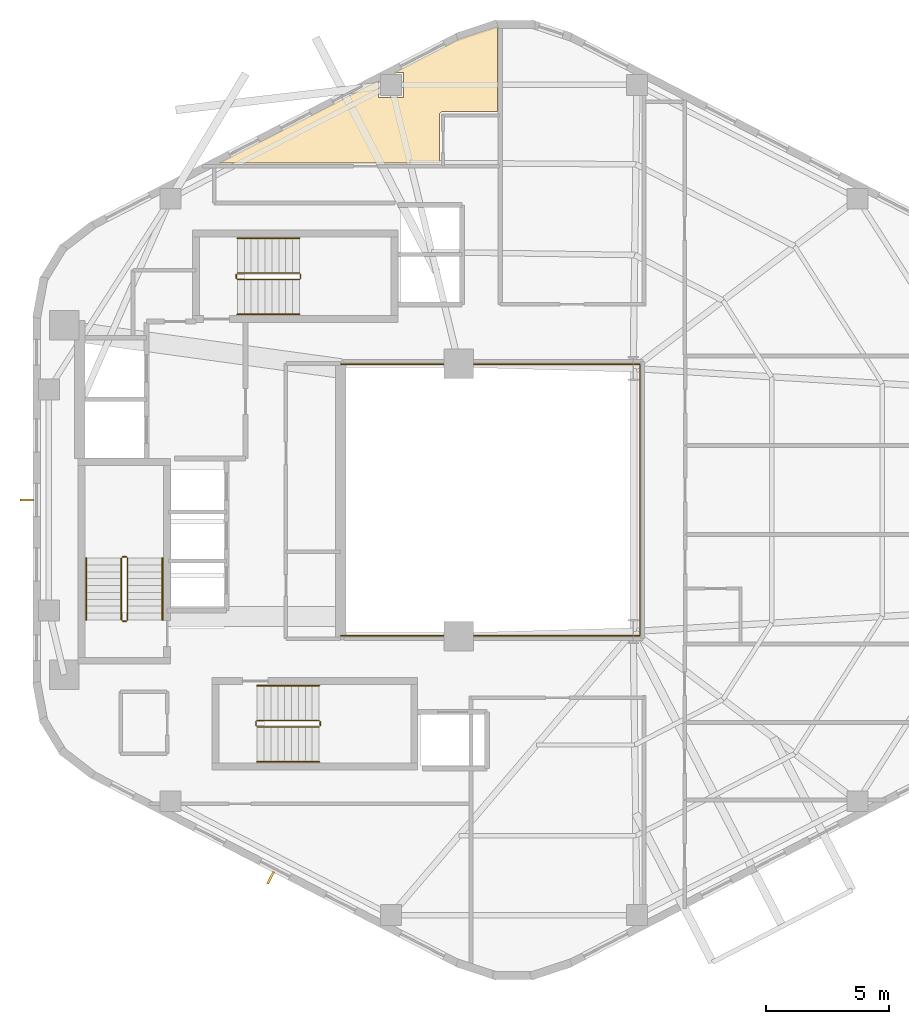
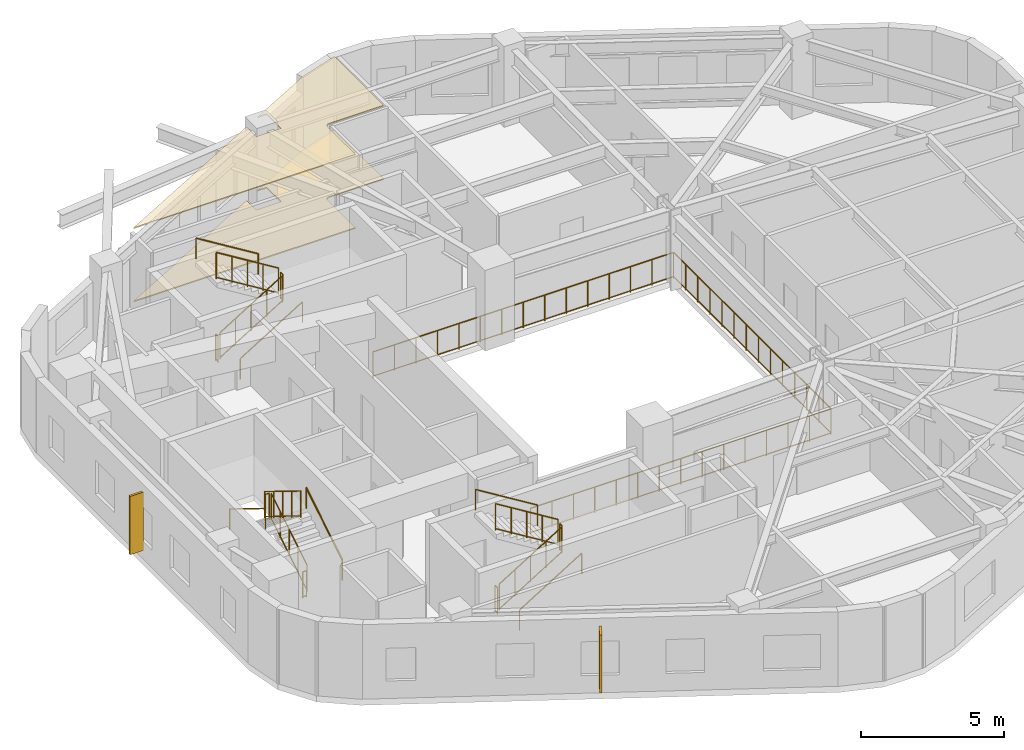
# One storey, part 7 of 7: 19 railings, 2 coverings, 2 shading devices.
"""IFC4 building model written with IfcOpenShell, lengths in metres."""

from ifc_helpers import new_model, si_unit, direction, frame, origin, origin_2d, place, context, subcontext, project, spatial, polyline, rectangle, circle, outline, extrude, material, layer, layer_set, type_object, element, save


model = new_model("IFC4")

# Units and contexts
model_context = context("Model", 3, precision=1e-05, world=origin(), true_north=direction((0.0, 1.0)))
body_context = subcontext(model_context, "Body", "Model", "MODEL_VIEW")
ifc_project = project(units=[si_unit("LENGTHUNIT", "METRE"), si_unit("AREAUNIT", "SQUARE_METRE"), si_unit("VOLUMEUNIT", "CUBIC_METRE"), si_unit("PLANEANGLEUNIT", "RADIAN"), si_unit("MASSUNIT", "GRAM", prefix="KILO"), si_unit("THERMODYNAMICTEMPERATUREUNIT", "KELVIN"), si_unit("POWERUNIT", "WATT")], contexts=[model_context])

# Site, building, storey
site_placement = place(None, origin())
site = spatial("IfcSite", under=ifc_project, at=site_placement, CompositionType="ELEMENT")
building_placement = place(site_placement, origin())
building = spatial("IfcBuilding", under=site, at=building_placement, Name="Skarre Station Tower", CompositionType="ELEMENT")
storey_placement = place(building_placement, frame((0.0, 0.0, 199.89990234375)))
storey = spatial("IfcBuildingStorey", under=building, at=storey_placement, Name="L54", CompositionType="ELEMENT", Elevation=199.89990234375)

# Railing
ifc_material_1 = material(Name="Bronze Anodized Steel & Laminated Glass Balustrade", Category="steel")
railing_type_1 = type_object("IfcRailingType", Name="Atrium Void & Mezzanine Guard Balustrade 1120", PredefinedType="GUARDRAIL", material=ifc_material_1)
railing_1_placement = place(storey_placement, frame((27.550048828125, 18.47998046875, 0.0)))
element("IfcRailing", 1, at=railing_1_placement, inside=storey, type_object=railing_type_1, Name="L54 Atrium Void Guard Balustrade", PredefinedType="GUARDRAIL", context=body_context, shape_type="SweptSolid", body=[
    extrude(circle(Radius=0.02392578125, at=origin_2d()), frame((0.0, 0.0, 1.09619140625), z_axis=(1.0, 0.0, 0.0), x_axis=(0.0, 1.0, 0.0)), (0.0, 0.0, 1.0), 12.169921875),
    extrude(circle(Radius=0.02099609375, at=origin_2d()), frame((0.0, 0.0, 0.06005859375), z_axis=(1.0, 0.0, 0.0), x_axis=(0.0, 1.0, 0.0)), (0.0, 0.0, 1.0), 12.169921875),
    extrude(circle(Radius=0.02392578125, at=origin_2d()), frame((12.169921875, 0.0, 1.09619140625), z_axis=(0.0, 1.0, 0.0), x_axis=(-1.0, 0.0, 0.0)), (0.0, 0.0, 1.0), 11.0400390625),
    extrude(circle(Radius=0.02099609375, at=origin_2d()), frame((12.169921875, 0.0, 0.06005859375), z_axis=(0.0, 1.0, 0.0), x_axis=(-1.0, 0.0, 0.0)), (0.0, 0.0, 1.0), 11.0400390625),
    extrude(circle(Radius=0.02392578125, at=origin_2d()), frame((12.169921875, 11.0400390625, 1.09619140625), z_axis=(-1.0, 0.0, 0.0), x_axis=(0.0, -1.0, 0.0)), (0.0, 0.0, 1.0), 12.169921875),
    extrude(circle(Radius=0.02099609375, at=origin_2d()), frame((12.169921875, 11.0400390625, 0.06005859375), z_axis=(-1.0, 0.0, 0.0), x_axis=(0.0, -1.0, 0.0)), (0.0, 0.0, 1.0), 12.169921875),
    extrude(circle(Radius=0.02099609375, at=origin_2d()), origin(), (0.0, 0.0, 1.0), 1.072021484375),
    extrude(circle(Radius=0.02099609375, at=origin_2d()), frame((0.869384765625, 0.0, 0.0)), (0.0, 0.0, 1.0), 1.072021484375),
    extrude(circle(Radius=0.02099609375, at=origin_2d()), frame((1.738525390625, 0.0, 0.0)), (0.0, 0.0, 1.0), 1.072021484375),
    extrude(circle(Radius=0.02099609375, at=origin_2d()), frame((2.60791015625, 0.0, 0.0)), (0.0, 0.0, 1.0), 1.072021484375),
    extrude(circle(Radius=0.02099609375, at=origin_2d()), frame((3.47705078125, 0.0, 0.0)), (0.0, 0.0, 1.0), 1.072021484375),
    extrude(circle(Radius=0.02099609375, at=origin_2d()), frame((4.346435546875, 0.0, 0.0)), (0.0, 0.0, 1.0), 1.072021484375),
    extrude(circle(Radius=0.02099609375, at=origin_2d()), frame((5.215576171875, 0.0, 0.0)), (0.0, 0.0, 1.0), 1.072021484375),
    extrude(circle(Radius=0.02099609375, at=origin_2d()), frame((6.0849609375, 0.0, 0.0)), (0.0, 0.0, 1.0), 1.072021484375),
    extrude(circle(Radius=0.02099609375, at=origin_2d()), frame((6.954345703125, 0.0, 0.0)), (0.0, 0.0, 1.0), 1.072021484375),
    extrude(circle(Radius=0.02099609375, at=origin_2d()), frame((7.823486328125, 0.0, 0.0)), (0.0, 0.0, 1.0), 1.072021484375),
    extrude(circle(Radius=0.02099609375, at=origin_2d()), frame((8.69287109375, 0.0, 0.0)), (0.0, 0.0, 1.0), 1.072021484375),
    extrude(circle(Radius=0.02099609375, at=origin_2d()), frame((9.56201171875, 0.0, 0.0)), (0.0, 0.0, 1.0), 1.072021484375),
    extrude(circle(Radius=0.02099609375, at=origin_2d()), frame((10.431396484375, 0.0, 0.0)), (0.0, 0.0, 1.0), 1.072021484375),
    extrude(circle(Radius=0.02099609375, at=origin_2d()), frame((11.300537109375, 0.0, 0.0)), (0.0, 0.0, 1.0), 1.072021484375),
    extrude(circle(Radius=0.02099609375, at=origin_2d()), frame((12.169921875, 0.0, 0.0)), (0.0, 0.0, 1.0), 1.072021484375),
    extrude(circle(Radius=0.02099609375, at=origin_2d()), frame((12.169921875, 0.84912109375, 0.0)), (0.0, 0.0, 1.0), 1.072021484375),
    extrude(circle(Radius=0.02099609375, at=origin_2d()), frame((12.169921875, 1.698486328125, 0.0)), (0.0, 0.0, 1.0), 1.072021484375),
    extrude(circle(Radius=0.02099609375, at=origin_2d()), frame((12.169921875, 2.547607421875, 0.0)), (0.0, 0.0, 1.0), 1.072021484375),
    extrude(circle(Radius=0.02099609375, at=origin_2d()), frame((12.169921875, 3.39697265625, 0.0)), (0.0, 0.0, 1.0), 1.072021484375),
    extrude(circle(Radius=0.02099609375, at=origin_2d()), frame((12.169921875, 4.24609375, 0.0)), (0.0, 0.0, 1.0), 1.072021484375),
    extrude(circle(Radius=0.02099609375, at=origin_2d()), frame((12.169921875, 5.095458984375, 0.0)), (0.0, 0.0, 1.0), 1.072021484375),
    extrude(circle(Radius=0.02099609375, at=origin_2d()), frame((12.169921875, 5.944580078125, 0.0)), (0.0, 0.0, 1.0), 1.072021484375),
    extrude(circle(Radius=0.02099609375, at=origin_2d()), frame((12.169921875, 6.7939453125, 0.0)), (0.0, 0.0, 1.0), 1.072021484375),
    extrude(circle(Radius=0.02099609375, at=origin_2d()), frame((12.169921875, 7.64306640625, 0.0)), (0.0, 0.0, 1.0), 1.072021484375),
    extrude(circle(Radius=0.02099609375, at=origin_2d()), frame((12.169921875, 8.492431640625, 0.0)), (0.0, 0.0, 1.0), 1.072021484375),
    extrude(circle(Radius=0.02099609375, at=origin_2d()), frame((12.169921875, 9.341552734375, 0.0)), (0.0, 0.0, 1.0), 1.072021484375),
    extrude(circle(Radius=0.02099609375, at=origin_2d()), frame((12.169921875, 10.19091796875, 0.0)), (0.0, 0.0, 1.0), 1.072021484375),
    extrude(circle(Radius=0.02099609375, at=origin_2d()), frame((12.169921875, 11.0400390625, 0.0)), (0.0, 0.0, 1.0), 1.072021484375),
    extrude(circle(Radius=0.02099609375, at=origin_2d()), frame((11.300537109375, 11.0400390625, 0.0)), (0.0, 0.0, 1.0), 1.072021484375),
    extrude(circle(Radius=0.02099609375, at=origin_2d()), frame((10.431396484375, 11.0400390625, 0.0)), (0.0, 0.0, 1.0), 1.072021484375),
    extrude(circle(Radius=0.02099609375, at=origin_2d()), frame((9.56201171875, 11.0400390625, 0.0)), (0.0, 0.0, 1.0), 1.072021484375),
    extrude(circle(Radius=0.02099609375, at=origin_2d()), frame((8.69287109375, 11.0400390625, 0.0)), (0.0, 0.0, 1.0), 1.072021484375),
    extrude(circle(Radius=0.02099609375, at=origin_2d()), frame((7.823486328125, 11.0400390625, 0.0)), (0.0, 0.0, 1.0), 1.072021484375),
    extrude(circle(Radius=0.02099609375, at=origin_2d()), frame((6.954345703125, 11.0400390625, 0.0)), (0.0, 0.0, 1.0), 1.072021484375),
    extrude(circle(Radius=0.02099609375, at=origin_2d()), frame((6.0849609375, 11.0400390625, 0.0)), (0.0, 0.0, 1.0), 1.072021484375),
    extrude(circle(Radius=0.02099609375, at=origin_2d()), frame((5.215576171875, 11.0400390625, 0.0)), (0.0, 0.0, 1.0), 1.072021484375),
    extrude(circle(Radius=0.02099609375, at=origin_2d()), frame((4.346435546875, 11.0400390625, 0.0)), (0.0, 0.0, 1.0), 1.072021484375),
    extrude(circle(Radius=0.02099609375, at=origin_2d()), frame((3.47705078125, 11.0400390625, 0.0)), (0.0, 0.0, 1.0), 1.072021484375),
    extrude(circle(Radius=0.02099609375, at=origin_2d()), frame((2.60791015625, 11.0400390625, 0.0)), (0.0, 0.0, 1.0), 1.072021484375),
    extrude(circle(Radius=0.02099609375, at=origin_2d()), frame((1.738525390625, 11.0400390625, 0.0)), (0.0, 0.0, 1.0), 1.072021484375),
    extrude(circle(Radius=0.02099609375, at=origin_2d()), frame((0.869384765625, 11.0400390625, 0.0)), (0.0, 0.0, 1.0), 1.072021484375),
    extrude(circle(Radius=0.02099609375, at=origin_2d()), frame((0.0, 11.0400390625, 0.0)), (0.0, 0.0, 1.0), 1.072021484375),
])

# Coverings
ifc_material_2 = material(Name="Honed Jura Limestone & Calcium-Sulfate Access Tile", Category="masonry")
ifc_layer_1 = layer(ifc_material_2, 0.050048828125, Name="Honed Jura Limestone & Calcium-Sulfate Access Tile")
ifc_layer_set_1 = layer_set([ifc_layer_1], Name="Honed Jura Limestone & Calcium-Sulfate Access Tile")
covering_type_1 = type_object("IfcCoveringType", Name="Honed Limestone & Raised Access Floor Finish 50", PredefinedType="FLOORING", material=ifc_layer_set_1)
covering_1_placement = place(storey_placement, origin())
element("IfcCovering", 2, at=covering_1_placement, inside=storey, type_object=covering_type_1, Name="L54 Limestone Access Flooring 1", PredefinedType="FLOORING", context=body_context, shape_type="SweptSolid", body=[
    extrude(outline(polyline([(33.919921875, 39.800048828125), (33.919921875, 43.24609375), (33.845947265625, 43.24609375), (32.39208984375, 42.76806640625), (29.72705078125, 41.39306640625), (30.10302734375, 41.39306640625), (30.10302734375, 40.383056640625), (29.093017578125, 40.383056640625), (29.093017578125, 41.06591796875), (22.571044921875, 37.699951171875), (31.56005859375, 37.699951171875), (31.56005859375, 39.639892578125), (31.56005859375, 39.64404296875), (31.56005859375, 39.652099609375), (31.56103515625, 39.659912109375), (31.56201171875, 39.6669921875), (31.56396484375, 39.675048828125), (31.56591796875, 39.68310546875), (31.568115234375, 39.68994140625), (31.571044921875, 39.697998046875), (31.573974609375, 39.705078125), (31.576904296875, 39.7119140625), (31.5810546875, 39.718994140625), (31.5849609375, 39.72607421875), (31.589111328125, 39.73193359375), (31.593994140625, 39.738037109375), (31.59912109375, 39.743896484375), (31.60400390625, 39.75), (31.610107421875, 39.756103515625), (31.615966796875, 39.760986328125), (31.6220703125, 39.76611328125), (31.6279296875, 39.77099609375), (31.634033203125, 39.77490234375), (31.64111328125, 39.779052734375), (31.64794921875, 39.782958984375), (31.655029296875, 39.785888671875), (31.662109375, 39.7890625), (31.669921875, 39.7919921875), (31.677001953125, 39.7939453125), (31.68505859375, 39.7958984375), (31.693115234375, 39.798095703125), (31.699951171875, 39.799072265625), (31.7080078125, 39.800048828125), (31.716064453125, 39.800048828125), (31.719970703125, 39.800048828125), (33.919921875, 39.800048828125)])), origin(), (0.0, 0.0, 1.0), 0.050048828125),
])
ifc_material_3 = material(Name="Perforated Nordic Birch Veneer & Mineral Wool", Category="wood")
ifc_layer_2 = layer(ifc_material_3, 0.044921875, Name="Perforated Nordic Birch Veneer & Mineral Wool")
ifc_layer_set_2 = layer_set([ifc_layer_2], Name="Perforated Nordic Birch Veneer & Mineral Wool")
covering_type_2 = type_object("IfcCoveringType", Name="Nordic Birch Slatted Acoustic Suspended Ceiling 45", PredefinedType="CEILING", material=ifc_layer_set_2)
covering_2_placement = place(storey_placement, frame((0.0, 0.0, 3.14501953125)))
element("IfcCovering", 3, at=covering_2_placement, inside=storey, type_object=covering_type_2, Name="L54 Acoustic Birch Ceiling 1", PredefinedType="CEILING", context=body_context, shape_type="SweptSolid", body=[
    extrude(outline(polyline([(33.919921875, 39.800048828125), (33.919921875, 43.24609375), (33.845947265625, 43.24609375), (32.39208984375, 42.76806640625), (29.72705078125, 41.39306640625), (30.10302734375, 41.39306640625), (30.10302734375, 40.383056640625), (29.093017578125, 40.383056640625), (29.093017578125, 41.06591796875), (22.571044921875, 37.699951171875), (31.56005859375, 37.699951171875), (31.56005859375, 39.639892578125), (31.56005859375, 39.64404296875), (31.56005859375, 39.652099609375), (31.56103515625, 39.659912109375), (31.56201171875, 39.6669921875), (31.56396484375, 39.675048828125), (31.56591796875, 39.68310546875), (31.568115234375, 39.68994140625), (31.571044921875, 39.697998046875), (31.573974609375, 39.705078125), (31.576904296875, 39.7119140625), (31.5810546875, 39.718994140625), (31.5849609375, 39.72607421875), (31.589111328125, 39.73193359375), (31.593994140625, 39.738037109375), (31.59912109375, 39.743896484375), (31.60400390625, 39.75), (31.610107421875, 39.756103515625), (31.615966796875, 39.760986328125), (31.6220703125, 39.76611328125), (31.6279296875, 39.77099609375), (31.634033203125, 39.77490234375), (31.64111328125, 39.779052734375), (31.64794921875, 39.782958984375), (31.655029296875, 39.785888671875), (31.662109375, 39.7890625), (31.669921875, 39.7919921875), (31.677001953125, 39.7939453125), (31.68505859375, 39.7958984375), (31.693115234375, 39.798095703125), (31.699951171875, 39.799072265625), (31.7080078125, 39.800048828125), (31.716064453125, 39.800048828125), (31.719970703125, 39.800048828125), (33.919921875, 39.800048828125)])), origin(), (0.0, 0.0, 1.0), 0.045166015625),
])

# Shading devices
ifc_material_4 = material(Name="Bronze Anodized Extruded Aluminium 6063-T6", Category="aluminium")
shading_device_type = type_object("IfcShadingDeviceType", Name="Nordic Bronze Vertical Solar Fin 550x90", PredefinedType="SHUTTER", material=ifc_material_4)
for number, where, z_axis, x_axis, name in (
    (4, (14.778076171875, 24.0, 0.35009765625), (0.0, 0.0, 1.0), (-1.0, 0.0, 0.0), "L54 Facet 2 Bronze Solar Fin"),
    (5, (24.698974609375, 8.6279296875, 0.35009765625), (0.0, 0.0, 1.0), (-0.458634045118, -0.888625237464, 0.0), "L54 Facet 3 Bronze Solar Fin"),
):
    element("IfcShadingDevice", number, at=place(storey_placement, frame(where, z_axis=z_axis, x_axis=x_axis)), inside=storey, type_object=shading_device_type, Name=name, PredefinedType="SHUTTER", context=body_context, shape_type="SweptSolid", body=[
        extrude(rectangle(XDim=0.550048828125, YDim=0.090087890625, at=origin_2d()), origin(), (0.0, 0.0, 1.0), 2.5),
    ])

# Railings
ifc_material_5 = material(Name="Powder-Coated Tubular Steel", Category="steel")
railing_type_2 = type_object("IfcRailingType", Name="Painted Steel Ramp & Stair Handrail 920", PredefinedType="HANDRAIL", material=ifc_material_5)
railing_2_placement = place(storey_placement, frame((20.300048828125, 19.1201171875, 0.172607421875)))
element("IfcRailing", 6, at=railing_2_placement, inside=storey, type_object=railing_type_2, Name="L54 ST-1 stair handrail 1", PredefinedType="HANDRAIL", context=body_context, shape_type="SweptSolid", body=[
    extrude(circle(Radius=0.02392578125, at=origin_2d()), frame((0.0, 0.0, 0.8759765625), z_axis=(0.0, 0.851377800117, 0.52455299205), x_axis=(-1.0, 0.0, 0.0)), (0.0, 0.0, 1.0), 2.959716796875),
    extrude(circle(Radius=0.02099609375, at=origin_2d()), origin(), (0.0, 0.0, 1.0), 0.851806640625),
    extrude(circle(Radius=0.02099609375, at=origin_2d()), frame((0.0, 2.519775390625, 1.552490234375)), (0.0, 0.0, 1.0), 0.851806640625),
])
railing_3_placement = place(storey_placement, frame((17.199951171875, 21.639892578125, 1.897705078125)))
element("IfcRailing", 7, at=railing_3_placement, inside=storey, type_object=railing_type_2, Name="L54 ST-1 stair handrail 2", PredefinedType="HANDRAIL", context=body_context, shape_type="SweptSolid", body=[
    extrude(circle(Radius=0.02392578125, at=origin_2d()), frame((0.0, 0.0, 0.8759765625), z_axis=(0.0, -0.851377800117, 0.52455299205), x_axis=(1.0, 0.0, 0.0)), (0.0, 0.0, 1.0), 2.959716796875),
    extrude(circle(Radius=0.02099609375, at=origin_2d()), origin(), (0.0, 0.0, 1.0), 0.851806640625),
    extrude(circle(Radius=0.02099609375, at=origin_2d()), frame((0.0, -2.519775390625, 1.552490234375)), (0.0, 0.0, 1.0), 0.851806640625),
])
railing_4_placement = place(storey_placement, frame((24.14990234375, 13.35009765625, 0.172607421875)))
element("IfcRailing", 8, at=railing_4_placement, inside=storey, type_object=railing_type_2, Name="L54 ST-2 stair handrail 1", PredefinedType="HANDRAIL", context=body_context, shape_type="SweptSolid", body=[
    extrude(circle(Radius=0.02392578125, at=origin_2d()), frame((0.0, 0.0, 0.8759765625), z_axis=(0.851400495292, 0.0, 0.524516154772), x_axis=(0.0, 1.0, 0.0)), (0.0, 0.0, 1.0), 2.9599609375),
    extrude(circle(Radius=0.02099609375, at=origin_2d()), origin(), (0.0, 0.0, 1.0), 0.851806640625),
    extrude(circle(Radius=0.02099609375, at=origin_2d()), frame((2.52001953125, 0.0, 1.552490234375)), (0.0, 0.0, 1.0), 0.851806640625),
])
railing_5_placement = place(storey_placement, frame((26.669921875, 16.449951171875, 1.897705078125)))
element("IfcRailing", 9, at=railing_5_placement, inside=storey, type_object=railing_type_2, Name="L54 ST-2 stair handrail 2", PredefinedType="HANDRAIL", context=body_context, shape_type="SweptSolid", body=[
    extrude(circle(Radius=0.02392578125, at=origin_2d()), frame((0.0, 0.0, 0.8759765625), z_axis=(-0.851400495292, 0.0, 0.524516154772), x_axis=(0.0, -1.0, 0.0)), (0.0, 0.0, 1.0), 2.9599609375),
    extrude(circle(Radius=0.02099609375, at=origin_2d()), origin(), (0.0, 0.0, 1.0), 0.851806640625),
    extrude(circle(Radius=0.02099609375, at=origin_2d()), frame((-2.52001953125, 0.0, 1.552490234375)), (0.0, 0.0, 1.0), 0.851806640625),
])
railing_6_placement = place(storey_placement, frame((23.35009765625, 31.550048828125, 0.172607421875)))
element("IfcRailing", 10, at=railing_6_placement, inside=storey, type_object=railing_type_2, Name="L54 ST-3 stair handrail 1", PredefinedType="HANDRAIL", context=body_context, shape_type="SweptSolid", body=[
    extrude(circle(Radius=0.02392578125, at=origin_2d()), frame((0.0, 0.0, 0.8759765625), z_axis=(0.851400495292, 0.0, 0.524516154772), x_axis=(0.0, 1.0, 0.0)), (0.0, 0.0, 1.0), 2.9599609375),
    extrude(circle(Radius=0.02099609375, at=origin_2d()), origin(), (0.0, 0.0, 1.0), 0.851806640625),
    extrude(circle(Radius=0.02099609375, at=origin_2d()), frame((2.52001953125, 0.0, 1.552490234375)), (0.0, 0.0, 1.0), 0.851806640625),
])
railing_7_placement = place(storey_placement, frame((25.8701171875, 34.64990234375, 1.897705078125)))
element("IfcRailing", 11, at=railing_7_placement, inside=storey, type_object=railing_type_2, Name="L54 ST-3 stair handrail 2", PredefinedType="HANDRAIL", context=body_context, shape_type="SweptSolid", body=[
    extrude(circle(Radius=0.02392578125, at=origin_2d()), frame((0.0, 0.0, 0.8759765625), z_axis=(-0.851400495292, 0.0, 0.524516154772), x_axis=(0.0, -1.0, 0.0)), (0.0, 0.0, 1.0), 2.9599609375),
    extrude(circle(Radius=0.02099609375, at=origin_2d()), origin(), (0.0, 0.0, 1.0), 0.851806640625),
    extrude(circle(Radius=0.02099609375, at=origin_2d()), frame((-2.52001953125, 0.0, 1.552490234375)), (0.0, 0.0, 1.0), 0.851806640625),
])
railing_type_3 = type_object("IfcRailingType", Name="Painted Steel Stairwell Guardrail 1100", PredefinedType="GUARDRAIL", material=ifc_material_5)
railing_8_placement = place(storey_placement, frame((18.8798828125, 19.1201171875, 0.172607421875)))
element("IfcRailing", 12, at=railing_8_placement, inside=storey, type_object=railing_type_3, Name="L54 ST-1 stair guard 1", PredefinedType="GUARDRAIL", context=body_context, shape_type="SweptSolid", body=[
    extrude(circle(Radius=0.02392578125, at=origin_2d()), frame((0.0, 0.0, 1.1259765625), z_axis=(0.0, 0.851377800117, 0.52455299205), x_axis=(-1.0, 0.0, 0.0)), (0.0, 0.0, 1.0), 2.959716796875),
    extrude(circle(Radius=0.02099609375, at=origin_2d()), frame((0.0, 0.0, 0.06005859375), z_axis=(0.0, 0.851377800117, 0.52455299205), x_axis=(-1.0, 0.0, 0.0)), (0.0, 0.0, 1.0), 2.959716796875),
    extrude(circle(Radius=0.02099609375, at=origin_2d()), origin(), (0.0, 0.0, 1.0), 1.101806640625),
    extrude(circle(Radius=0.02099609375, at=origin_2d()), frame((0.0, 0.6298828125, 0.38818359375)), (0.0, 0.0, 1.0), 1.101806640625),
    extrude(circle(Radius=0.02099609375, at=origin_2d()), frame((0.0, 1.259765625, 0.7763671875)), (0.0, 0.0, 1.0), 1.101806640625),
    extrude(circle(Radius=0.02099609375, at=origin_2d()), frame((0.0, 1.889892578125, 1.164306640625)), (0.0, 0.0, 1.0), 1.101806640625),
    extrude(circle(Radius=0.02099609375, at=origin_2d()), frame((0.0, 2.519775390625, 1.552490234375)), (0.0, 0.0, 1.0), 1.101806640625),
])
railing_9_placement = place(storey_placement, frame((18.830078125, 21.68994140625, 1.72509765625)))
element("IfcRailing", 13, at=railing_9_placement, inside=storey, type_object=railing_type_3, Name="L54 ST-1 stair guard 2", PredefinedType="GUARDRAIL", context=body_context, shape_type="SweptSolid", body=[
    extrude(circle(Radius=0.02392578125, at=origin_2d()), frame((0.0, 0.0, 1.1259765625), z_axis=(-1.0, 0.0, 0.0), x_axis=(0.0, -1.0, 0.0)), (0.0, 0.0, 1.0), 0.16015625),
    extrude(circle(Radius=0.02099609375, at=origin_2d()), frame((0.0, 0.0, 0.06005859375), z_axis=(-1.0, 0.0, 0.0), x_axis=(0.0, -1.0, 0.0)), (0.0, 0.0, 1.0), 0.16015625),
    extrude(circle(Radius=0.02099609375, at=origin_2d()), origin(), (0.0, 0.0, 1.0), 1.101806640625),
    extrude(circle(Radius=0.02099609375, at=origin_2d()), frame((-0.16015625, 0.0, 0.0)), (0.0, 0.0, 1.0), 1.101806640625),
])
railing_10_placement = place(storey_placement, frame((18.6201171875, 21.639892578125, 1.897705078125)))
element("IfcRailing", 14, at=railing_10_placement, inside=storey, type_object=railing_type_3, Name="L54 ST-1 stair guard 3", PredefinedType="GUARDRAIL", context=body_context, shape_type="SweptSolid", body=[
    extrude(circle(Radius=0.02392578125, at=origin_2d()), frame((0.0, 0.0, 1.1259765625), z_axis=(0.0, -0.851377800117, 0.52455299205), x_axis=(1.0, 0.0, 0.0)), (0.0, 0.0, 1.0), 2.959716796875),
    extrude(circle(Radius=0.02099609375, at=origin_2d()), frame((0.0, 0.0, 0.06005859375), z_axis=(0.0, -0.851377800117, 0.52455299205), x_axis=(1.0, 0.0, 0.0)), (0.0, 0.0, 1.0), 2.959716796875),
    extrude(circle(Radius=0.02099609375, at=origin_2d()), origin(), (0.0, 0.0, 1.0), 1.101806640625),
    extrude(circle(Radius=0.02099609375, at=origin_2d()), frame((0.0, -0.6298828125, 0.38818359375)), (0.0, 0.0, 1.0), 1.101806640625),
    extrude(circle(Radius=0.02099609375, at=origin_2d()), frame((0.0, -1.259765625, 0.7763671875)), (0.0, 0.0, 1.0), 1.101806640625),
    extrude(circle(Radius=0.02099609375, at=origin_2d()), frame((0.0, -1.889892578125, 1.164306640625)), (0.0, 0.0, 1.0), 1.101806640625),
    extrude(circle(Radius=0.02099609375, at=origin_2d()), frame((0.0, -2.519775390625, 1.552490234375)), (0.0, 0.0, 1.0), 1.101806640625),
])
railing_11_placement = place(storey_placement, frame((18.830078125, 19.070068359375, 0.0)))
element("IfcRailing", 15, at=railing_11_placement, inside=storey, type_object=railing_type_3, Name="L54 ST-1 stair guard 4", PredefinedType="GUARDRAIL", context=body_context, shape_type="SweptSolid", body=[
    extrude(circle(Radius=0.02392578125, at=origin_2d()), frame((0.0, 0.0, 1.1259765625), z_axis=(-1.0, 0.0, 0.0), x_axis=(0.0, -1.0, 0.0)), (0.0, 0.0, 1.0), 0.16015625),
    extrude(circle(Radius=0.02099609375, at=origin_2d()), frame((0.0, 0.0, 0.06005859375), z_axis=(-1.0, 0.0, 0.0), x_axis=(0.0, -1.0, 0.0)), (0.0, 0.0, 1.0), 0.16015625),
    extrude(circle(Radius=0.02099609375, at=origin_2d()), origin(), (0.0, 0.0, 1.0), 1.101806640625),
    extrude(circle(Radius=0.02099609375, at=origin_2d()), frame((-0.16015625, 0.0, 0.0)), (0.0, 0.0, 1.0), 1.101806640625),
])
railing_12_placement = place(storey_placement, frame((24.14990234375, 14.77001953125, 0.172607421875)))
element("IfcRailing", 16, at=railing_12_placement, inside=storey, type_object=railing_type_3, Name="L54 ST-2 stair guard 1", PredefinedType="GUARDRAIL", context=body_context, shape_type="SweptSolid", body=[
    extrude(circle(Radius=0.02392578125, at=origin_2d()), frame((0.0, 0.0, 1.1259765625), z_axis=(0.851400495292, 0.0, 0.524516154772), x_axis=(0.0, 1.0, 0.0)), (0.0, 0.0, 1.0), 2.9599609375),
    extrude(circle(Radius=0.02099609375, at=origin_2d()), frame((0.0, 0.0, 0.06005859375), z_axis=(0.851400495292, 0.0, 0.524516154772), x_axis=(0.0, 1.0, 0.0)), (0.0, 0.0, 1.0), 2.9599609375),
    extrude(circle(Radius=0.02099609375, at=origin_2d()), origin(), (0.0, 0.0, 1.0), 1.101806640625),
    extrude(circle(Radius=0.02099609375, at=origin_2d()), frame((0.6298828125, 0.0, 0.38818359375)), (0.0, 0.0, 1.0), 1.101806640625),
    extrude(circle(Radius=0.02099609375, at=origin_2d()), frame((1.260009765625, 0.0, 0.7763671875)), (0.0, 0.0, 1.0), 1.101806640625),
    extrude(circle(Radius=0.02099609375, at=origin_2d()), frame((1.89013671875, 0.0, 1.164306640625)), (0.0, 0.0, 1.0), 1.101806640625),
    extrude(circle(Radius=0.02099609375, at=origin_2d()), frame((2.52001953125, 0.0, 1.552490234375)), (0.0, 0.0, 1.0), 1.101806640625),
])
railing_13_placement = place(storey_placement, frame((26.719970703125, 14.820068359375, 1.72509765625)))
element("IfcRailing", 17, at=railing_13_placement, inside=storey, type_object=railing_type_3, Name="L54 ST-2 stair guard 2", PredefinedType="GUARDRAIL", context=body_context, shape_type="SweptSolid", body=[
    extrude(circle(Radius=0.02392578125, at=origin_2d()), frame((0.0, 0.0, 1.1259765625), z_axis=(0.0, 1.0, 0.0), x_axis=(-1.0, 0.0, 0.0)), (0.0, 0.0, 1.0), 0.159912109375),
    extrude(circle(Radius=0.02099609375, at=origin_2d()), frame((0.0, 0.0, 0.06005859375), z_axis=(0.0, 1.0, 0.0), x_axis=(-1.0, 0.0, 0.0)), (0.0, 0.0, 1.0), 0.159912109375),
    extrude(circle(Radius=0.02099609375, at=origin_2d()), origin(), (0.0, 0.0, 1.0), 1.101806640625),
    extrude(circle(Radius=0.02099609375, at=origin_2d()), frame((0.0, 0.159912109375, 0.0)), (0.0, 0.0, 1.0), 1.101806640625),
])
railing_14_placement = place(storey_placement, frame((26.669921875, 15.030029296875, 1.897705078125)))
element("IfcRailing", 18, at=railing_14_placement, inside=storey, type_object=railing_type_3, Name="L54 ST-2 stair guard 3", PredefinedType="GUARDRAIL", context=body_context, shape_type="SweptSolid", body=[
    extrude(circle(Radius=0.02392578125, at=origin_2d()), frame((0.0, 0.0, 1.1259765625), z_axis=(-0.851400495292, 0.0, 0.524516154772), x_axis=(0.0, -1.0, 0.0)), (0.0, 0.0, 1.0), 2.9599609375),
    extrude(circle(Radius=0.02099609375, at=origin_2d()), frame((0.0, 0.0, 0.06005859375), z_axis=(-0.851400495292, 0.0, 0.524516154772), x_axis=(0.0, -1.0, 0.0)), (0.0, 0.0, 1.0), 2.9599609375),
    extrude(circle(Radius=0.02099609375, at=origin_2d()), origin(), (0.0, 0.0, 1.0), 1.101806640625),
    extrude(circle(Radius=0.02099609375, at=origin_2d()), frame((-0.6298828125, 0.0, 0.38818359375)), (0.0, 0.0, 1.0), 1.101806640625),
    extrude(circle(Radius=0.02099609375, at=origin_2d()), frame((-1.260009765625, 0.0, 0.7763671875)), (0.0, 0.0, 1.0), 1.101806640625),
    extrude(circle(Radius=0.02099609375, at=origin_2d()), frame((-1.89013671875, 0.0, 1.164306640625)), (0.0, 0.0, 1.0), 1.101806640625),
    extrude(circle(Radius=0.02099609375, at=origin_2d()), frame((-2.52001953125, 0.0, 1.552490234375)), (0.0, 0.0, 1.0), 1.101806640625),
])
railing_15_placement = place(storey_placement, frame((24.10009765625, 14.820068359375, 0.0)))
element("IfcRailing", 19, at=railing_15_placement, inside=storey, type_object=railing_type_3, Name="L54 ST-2 stair guard 4", PredefinedType="GUARDRAIL", context=body_context, shape_type="SweptSolid", body=[
    extrude(circle(Radius=0.02392578125, at=origin_2d()), frame((0.0, 0.0, 1.1259765625), z_axis=(0.0, 1.0, 0.0), x_axis=(-1.0, 0.0, 0.0)), (0.0, 0.0, 1.0), 0.159912109375),
    extrude(circle(Radius=0.02099609375, at=origin_2d()), frame((0.0, 0.0, 0.06005859375), z_axis=(0.0, 1.0, 0.0), x_axis=(-1.0, 0.0, 0.0)), (0.0, 0.0, 1.0), 0.159912109375),
    extrude(circle(Radius=0.02099609375, at=origin_2d()), origin(), (0.0, 0.0, 1.0), 1.101806640625),
    extrude(circle(Radius=0.02099609375, at=origin_2d()), frame((0.0, 0.159912109375, 0.0)), (0.0, 0.0, 1.0), 1.101806640625),
])
railing_16_placement = place(storey_placement, frame((23.35009765625, 32.969970703125, 0.172607421875)))
element("IfcRailing", 20, at=railing_16_placement, inside=storey, type_object=railing_type_3, Name="L54 ST-3 stair guard 1", PredefinedType="GUARDRAIL", context=body_context, shape_type="SweptSolid", body=[
    extrude(circle(Radius=0.02392578125, at=origin_2d()), frame((0.0, 0.0, 1.1259765625), z_axis=(0.851400495292, 0.0, 0.524516154772), x_axis=(0.0, 1.0, 0.0)), (0.0, 0.0, 1.0), 2.9599609375),
    extrude(circle(Radius=0.02099609375, at=origin_2d()), frame((0.0, 0.0, 0.06005859375), z_axis=(0.851400495292, 0.0, 0.524516154772), x_axis=(0.0, 1.0, 0.0)), (0.0, 0.0, 1.0), 2.9599609375),
    extrude(circle(Radius=0.02099609375, at=origin_2d()), origin(), (0.0, 0.0, 1.0), 1.101806640625),
    extrude(circle(Radius=0.02099609375, at=origin_2d()), frame((0.6298828125, 0.0, 0.38818359375)), (0.0, 0.0, 1.0), 1.101806640625),
    extrude(circle(Radius=0.02099609375, at=origin_2d()), frame((1.260009765625, 0.0, 0.7763671875)), (0.0, 0.0, 1.0), 1.101806640625),
    extrude(circle(Radius=0.02099609375, at=origin_2d()), frame((1.89013671875, 0.0, 1.164306640625)), (0.0, 0.0, 1.0), 1.101806640625),
    extrude(circle(Radius=0.02099609375, at=origin_2d()), frame((2.52001953125, 0.0, 1.552490234375)), (0.0, 0.0, 1.0), 1.101806640625),
])
railing_17_placement = place(storey_placement, frame((25.919921875, 33.02001953125, 1.72509765625)))
element("IfcRailing", 21, at=railing_17_placement, inside=storey, type_object=railing_type_3, Name="L54 ST-3 stair guard 2", PredefinedType="GUARDRAIL", context=body_context, shape_type="SweptSolid", body=[
    extrude(circle(Radius=0.02392578125, at=origin_2d()), frame((0.0, 0.0, 1.1259765625), z_axis=(0.0, 1.0, 0.0), x_axis=(-1.0, 0.0, 0.0)), (0.0, 0.0, 1.0), 0.159912109375),
    extrude(circle(Radius=0.02099609375, at=origin_2d()), frame((0.0, 0.0, 0.06005859375), z_axis=(0.0, 1.0, 0.0), x_axis=(-1.0, 0.0, 0.0)), (0.0, 0.0, 1.0), 0.159912109375),
    extrude(circle(Radius=0.02099609375, at=origin_2d()), origin(), (0.0, 0.0, 1.0), 1.101806640625),
    extrude(circle(Radius=0.02099609375, at=origin_2d()), frame((0.0, 0.159912109375, 0.0)), (0.0, 0.0, 1.0), 1.101806640625),
])
railing_18_placement = place(storey_placement, frame((25.8701171875, 33.22998046875, 1.897705078125)))
element("IfcRailing", 22, at=railing_18_placement, inside=storey, type_object=railing_type_3, Name="L54 ST-3 stair guard 3", PredefinedType="GUARDRAIL", context=body_context, shape_type="SweptSolid", body=[
    extrude(circle(Radius=0.02392578125, at=origin_2d()), frame((0.0, 0.0, 1.1259765625), z_axis=(-0.851400495292, 0.0, 0.524516154772), x_axis=(0.0, -1.0, 0.0)), (0.0, 0.0, 1.0), 2.9599609375),
    extrude(circle(Radius=0.02099609375, at=origin_2d()), frame((0.0, 0.0, 0.06005859375), z_axis=(-0.851400495292, 0.0, 0.524516154772), x_axis=(0.0, -1.0, 0.0)), (0.0, 0.0, 1.0), 2.9599609375),
    extrude(circle(Radius=0.02099609375, at=origin_2d()), origin(), (0.0, 0.0, 1.0), 1.101806640625),
    extrude(circle(Radius=0.02099609375, at=origin_2d()), frame((-0.6298828125, 0.0, 0.38818359375)), (0.0, 0.0, 1.0), 1.101806640625),
    extrude(circle(Radius=0.02099609375, at=origin_2d()), frame((-1.260009765625, 0.0, 0.7763671875)), (0.0, 0.0, 1.0), 1.101806640625),
    extrude(circle(Radius=0.02099609375, at=origin_2d()), frame((-1.89013671875, 0.0, 1.164306640625)), (0.0, 0.0, 1.0), 1.101806640625),
    extrude(circle(Radius=0.02099609375, at=origin_2d()), frame((-2.52001953125, 0.0, 1.552490234375)), (0.0, 0.0, 1.0), 1.101806640625),
])
railing_19_placement = place(storey_placement, frame((23.300048828125, 33.02001953125, 0.0)))
element("IfcRailing", 23, at=railing_19_placement, inside=storey, type_object=railing_type_3, Name="L54 ST-3 stair guard 4", PredefinedType="GUARDRAIL", context=body_context, shape_type="SweptSolid", body=[
    extrude(circle(Radius=0.02392578125, at=origin_2d()), frame((0.0, 0.0, 1.1259765625), z_axis=(0.0, 1.0, 0.0), x_axis=(-1.0, 0.0, 0.0)), (0.0, 0.0, 1.0), 0.159912109375),
    extrude(circle(Radius=0.02099609375, at=origin_2d()), frame((0.0, 0.0, 0.06005859375), z_axis=(0.0, 1.0, 0.0), x_axis=(-1.0, 0.0, 0.0)), (0.0, 0.0, 1.0), 0.159912109375),
    extrude(circle(Radius=0.02099609375, at=origin_2d()), origin(), (0.0, 0.0, 1.0), 1.101806640625),
    extrude(circle(Radius=0.02099609375, at=origin_2d()), frame((0.0, 0.159912109375, 0.0)), (0.0, 0.0, 1.0), 1.101806640625),
])

save(model, "model.ifc")
